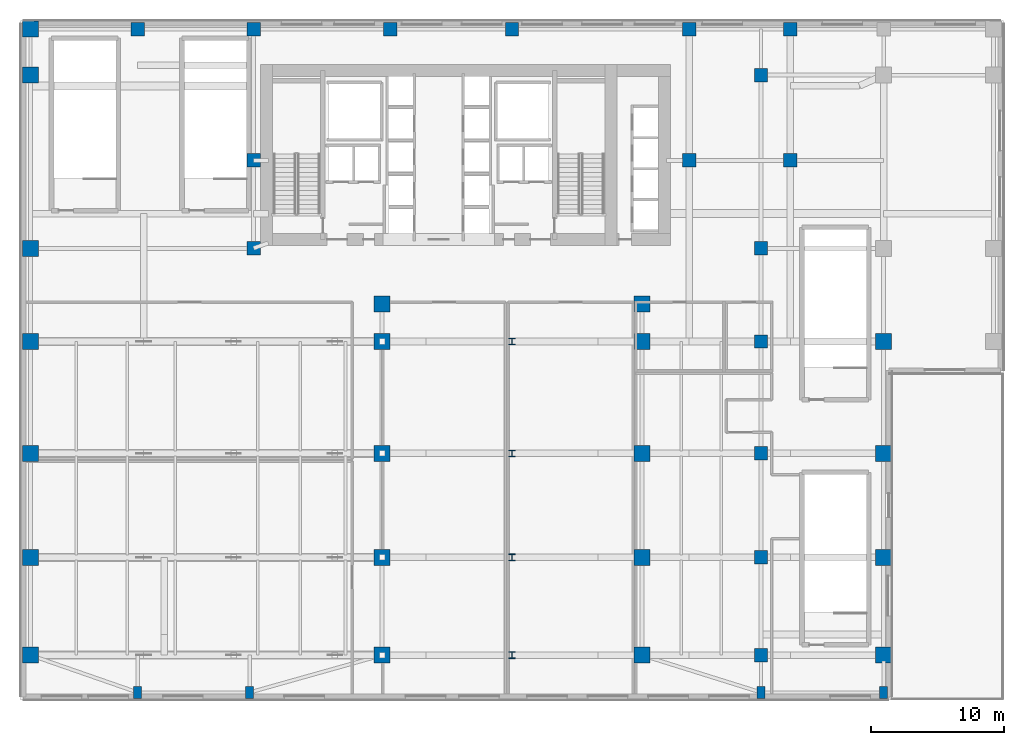
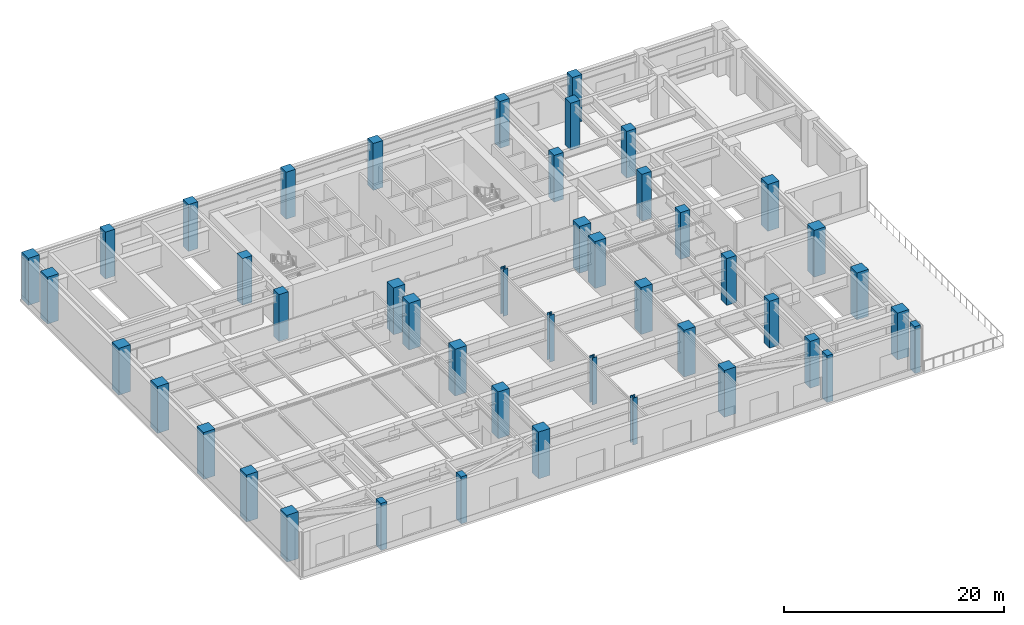
# One storey, part 1 of 14: 45 columns.
"""IFC4 building model written with IfcOpenShell, lengths in metres."""

from ifc_helpers import new_model, si_unit, direction, frame, origin, origin_2d, place, context, subcontext, project, spatial, rectangle, i_section, extrude, source, transform, mapped, material, material_profile, profile_set, type_object, type_shapes, element, save


model = new_model("IFC4")

# Units and contexts
model_context = context("Model", 3, precision=1e-05, world=origin(), true_north=direction((0.0, 1.0)))
body_context = subcontext(model_context, "Body", "Model", "MODEL_VIEW")
ifc_project = project(units=[si_unit("LENGTHUNIT", "METRE"), si_unit("AREAUNIT", "SQUARE_METRE"), si_unit("VOLUMEUNIT", "CUBIC_METRE"), si_unit("PLANEANGLEUNIT", "RADIAN"), si_unit("MASSUNIT", "GRAM", prefix="KILO")], contexts=[model_context])

# Site, building, storey
site_placement = place(None, origin())
site = spatial("IfcSite", under=ifc_project, at=site_placement, CompositionType="ELEMENT")
building_placement = place(site_placement, origin())
building = spatial("IfcBuilding", under=site, at=building_placement, Name="Tolvann Quenvar Hotel", CompositionType="ELEMENT")
storey_placement = place(building_placement, frame((0.0, 0.0, 26.800048828125)))
storey = spatial("IfcBuildingStorey", under=building, at=storey_placement, Name="L05", CompositionType="ELEMENT", Elevation=26.800048828125)

# Columns
ifc_material_1 = material(Name="Concrete S80 (80 MPa)", Category="concrete")
ifc_material_profile_1 = material_profile(ifc_material_1, rectangle(XDim=1.199951171875, YDim=1.199951171875, at=origin_2d()), Name="RC1200x1200")
ifc_profile_set_1 = profile_set([ifc_material_profile_1], Name="Concrete S80 (80 MPa)")
column_type_1 = type_object("IfcColumnType", Name="COL_RC1200", PredefinedType="COLUMN", material=ifc_profile_set_1)
shared_shape_1 = source(origin(), body_context, "Body", "SweptSolid", [
    extrude(rectangle(XDim=1.199951171875, YDim=1.199951171875, at=origin_2d()), origin(), (0.0, 0.0, 1.0), 5.199951171875),
])
type_shapes(column_type_1, [shared_shape_1])
for number, where, z_axis, x_axis, name in (
    (1, (-7.64990234375, 0.85009765625, 0.0), (0.0, 0.0, 1.0), (1.0, 0.0, 0.0), "Column PA1 (L05)"),
    (2, (-7.64990234375, 8.199951171875, 0.0), (0.0, 0.0, 1.0), (1.0, 0.0, 0.0), "Column PA2 (L05)"),
    (3, (-7.64990234375, 16.0, 0.0), (0.0, 0.0, 1.0), (1.0, 0.0, 0.0), "Column PA3 (L05)"),
    (4, (-7.64990234375, 24.39990234375, 0.0), (0.0, 0.0, 1.0), (1.0, 0.0, 0.0), "Column PA4 (L05)"),
    (5, (-7.64990234375, 31.39990234375, 0.0), (0.0, 0.0, 1.0), (1.0, 0.0, 0.0), "Column PA5 (L05)"),
    (6, (-7.64990234375, 44.39990234375, 0.0), (0.0, 0.0, 1.0), (1.0, 0.0, 0.0), "Column PA6 (L05)"),
    (7, (-7.64990234375, 47.85009765625, 0.0), (0.0, 0.0, 1.0), (1.0, 0.0, 0.0), "Column PAN (L05)"),
    (8, (18.75, 0.85009765625, 0.0), (0.0, 0.0, 1.0), (1.0, 0.0, 0.0), "Column PAPW1 (L05)"),
    (9, (38.25, 0.85009765625, 0.0), (0.0, 0.0, 1.0), (1.0, 0.0, 0.0), "Column PAPE1 (L05)"),
    (10, (18.75, 8.199951171875, 0.0), (0.0, 0.0, 1.0), (1.0, 0.0, 0.0), "Column PAPW2 (L05)"),
    (11, (38.25, 8.199951171875, 0.0), (0.0, 0.0, 1.0), (1.0, 0.0, 0.0), "Column PAPE2 (L05)"),
    (12, (18.75, 16.0, 0.0), (0.0, 0.0, 1.0), (1.0, 0.0, 0.0), "Column PAPW3 (L05)"),
    (13, (38.25, 16.0, 0.0), (0.0, 0.0, 1.0), (1.0, 0.0, 0.0), "Column PAPE3 (L05)"),
    (14, (18.75, 24.39990234375, 0.0), (0.0, 0.0, 1.0), (1.0, 0.0, 0.0), "Column PAPW4 (L05)"),
    (15, (38.25, 24.39990234375, 0.0), (0.0, 0.0, 1.0), (1.0, 0.0, 0.0), "Column PAPE4 (L05)"),
    (16, (18.75, 27.199951171875, 0.0), (0.0, 0.0, 1.0), (1.0, 0.0, 0.0), "Column PAPW5 (L05)"),
    (17, (38.25, 27.199951171875, 0.0), (0.0, 0.0, 1.0), (1.0, 0.0, 0.0), "Column PAPE5 (L05)"),
    (18, (56.39990234375, 0.85009765625, 0.0), (0.0, 0.0, 1.0), (1.0, 0.0, 0.0), "Column PJ1 (L05)"),
    (19, (56.39990234375, 8.199951171875, 0.0), (0.0, 0.0, 1.0), (1.0, 0.0, 0.0), "Column PJ2 (L05)"),
    (20, (56.39990234375, 16.0, 0.0), (0.0, 0.0, 1.0), (1.0, 0.0, 0.0), "Column PJ3 (L05)"),
    (21, (56.39990234375, 24.39990234375, 0.0), (0.0, 0.0, 1.0), (1.0, 0.0, 0.0), "Column PJ4 (L05)"),
):
    element("IfcColumn", number, at=place(storey_placement, frame(where, z_axis=z_axis, x_axis=x_axis)), inside=storey, type_object=column_type_1, Name=name, PredefinedType="COLUMN", context=body_context, shape_type="MappedRepresentation", body=[
        mapped(shared_shape_1, transform((0.0, 0.0, 0.0), x_axis=(1.0, 0.0, 0.0), y_axis=(0.0, 1.0, 0.0), z_axis=(0.0, 0.0, 1.0), scale=1.0)),
    ])
ifc_material_2 = material(Name="Concrete N50 (50 MPa)", Category="concrete")
ifc_material_profile_2 = material_profile(ifc_material_2, rectangle(XDim=0.60009765625, YDim=0.89990234375, at=origin_2d()), Name="RC600x900")
ifc_profile_set_2 = profile_set([ifc_material_profile_2], Name="Concrete N50 (50 MPa)")
column_type_2 = type_object("IfcColumnType", Name="COL_PILASTER_600x900", PredefinedType="PILASTER", material=ifc_profile_set_2)
shared_shape_2 = source(origin(), body_context, "Body", "SweptSolid", [
    extrude(rectangle(XDim=0.60009765625, YDim=0.89990234375, at=origin_2d()), origin(), (0.0, 0.0, 1.0), 5.199951171875),
])
type_shapes(column_type_2, [shared_shape_2])
for number, where, z_axis, x_axis, name in (
    (22, (0.39990234375, -1.949951171875, 0.0), (0.0, 0.0, 1.0), (1.0, 0.0, 0.0), "Column PIL-S1 (L05)"),
    (23, (8.800048828125, -1.949951171875, 0.0), (0.0, 0.0, 1.0), (1.0, 0.0, 0.0), "Column PIL-S2 (L05)"),
    (24, (47.199951171875, -1.949951171875, 0.0), (0.0, 0.0, 1.0), (1.0, 0.0, 0.0), "Column PIL-S3 (L05)"),
    (25, (56.39990234375, -1.949951171875, 0.0), (0.0, 0.0, 1.0), (1.0, 0.0, 0.0), "Column PIL-S4 (L05)"),
):
    element("IfcColumn", number, at=place(storey_placement, frame(where, z_axis=z_axis, x_axis=x_axis)), inside=storey, type_object=column_type_2, Name=name, PredefinedType="PILASTER", context=body_context, shape_type="MappedRepresentation", body=[
        mapped(shared_shape_2, transform((0.0, 0.0, 0.0), x_axis=(1.0, 0.0, 0.0), y_axis=(0.0, 1.0, 0.0), z_axis=(0.0, 0.0, 1.0), scale=1.0)),
    ])
ifc_material_3 = material(Name="Concrete S65 (65 MPa)", Category="concrete")
ifc_material_profile_3 = material_profile(ifc_material_3, rectangle(XDim=1.0, YDim=1.0, at=origin_2d()), Name="RC1000x1000")
ifc_profile_set_3 = profile_set([ifc_material_profile_3], Name="Concrete S65 (65 MPa)")
column_type_3 = type_object("IfcColumnType", Name="COL_RC1000", PredefinedType="COLUMN", material=ifc_profile_set_3)
shared_shape_3 = source(origin(), body_context, "Body", "SweptSolid", [
    extrude(rectangle(XDim=1.0, YDim=1.0, at=origin_2d()), origin(), (0.0, 0.0, 1.0), 5.199951171875),
])
type_shapes(column_type_3, [shared_shape_3])
for number, where, z_axis, x_axis, name in (
    (26, (47.199951171875, 0.85009765625, 0.0), (0.0, 0.0, 1.0), (1.0, 0.0, 0.0), "Column PH1 (L05)"),
    (27, (47.199951171875, 8.199951171875, 0.0), (0.0, 0.0, 1.0), (1.0, 0.0, 0.0), "Column PH2 (L05)"),
    (28, (47.199951171875, 16.0, 0.0), (0.0, 0.0, 1.0), (1.0, 0.0, 0.0), "Column PH3 (L05)"),
    (29, (47.199951171875, 24.39990234375, 0.0), (0.0, 0.0, 1.0), (1.0, 0.0, 0.0), "Column PH4 (L05)"),
    (30, (47.199951171875, 31.39990234375, 0.0), (0.0, 0.0, 1.0), (1.0, 0.0, 0.0), "Column PH5 (L05)"),
    (31, (47.199951171875, 44.39990234375, 0.0), (0.0, 0.0, 1.0), (1.0, 0.0, 0.0), "Column PH6 (L05)"),
    (32, (0.39990234375, 47.85009765625, 0.0), (0.0, 0.0, 1.0), (1.0, 0.0, 0.0), "Column PN1 (L05)"),
    (33, (9.10009765625, 47.85009765625, 0.0), (0.0, 0.0, 1.0), (1.0, 0.0, 0.0), "Column PN2 (L05)"),
    (34, (19.35009765625, 47.85009765625, 0.0), (0.0, 0.0, 1.0), (1.0, 0.0, 0.0), "Column PN3 (L05)"),
    (35, (28.5, 47.85009765625, 0.0), (0.0, 0.0, 1.0), (1.0, 0.0, 0.0), "Column PN4 (L05)"),
    (36, (41.800048828125, 47.85009765625, 0.0), (0.0, 0.0, 1.0), (1.0, 0.0, 0.0), "Column PN5 (L05)"),
    (37, (49.39990234375, 47.85009765625, 0.0), (0.0, 0.0, 1.0), (1.0, 0.0, 0.0), "Column PN6 (L05)"),
    (38, (9.10009765625, 38.0, 0.0), (0.0, 0.0, 1.0), (1.0, 0.0, 0.0), "Column PCN (L05)"),
    (39, (41.800048828125, 38.0, 0.0), (0.0, 0.0, 1.0), (1.0, 0.0, 0.0), "Column PHN (L05)"),
    (40, (49.39990234375, 38.0, 0.0), (0.0, 0.0, 1.0), (1.0, 0.0, 0.0), "Column PIN (L05)"),
    (41, (9.10009765625, 31.39990234375, 0.0), (0.0, 0.0, 1.0), (1.0, 0.0, 0.0), "Column PCNS (L05)"),
):
    element("IfcColumn", number, at=place(storey_placement, frame(where, z_axis=z_axis, x_axis=x_axis)), inside=storey, type_object=column_type_3, Name=name, PredefinedType="COLUMN", context=body_context, shape_type="MappedRepresentation", body=[
        mapped(shared_shape_3, transform((0.0, 0.0, 0.0), x_axis=(1.0, 0.0, 0.0), y_axis=(0.0, 1.0, 0.0), z_axis=(0.0, 0.0, 1.0), scale=1.0)),
    ])
ifc_material_4 = material(Name="Steel Grade 350", Category="steel")
ifc_material_profile_4 = material_profile(ifc_material_4, i_section(OverallWidth=0.5, OverallDepth=0.5, WebThickness=0.028076171875, FlangeThickness=0.044921875, at=origin_2d()), Name="500WC440")
ifc_profile_set_4 = profile_set([ifc_material_profile_4], Name="Steel Grade 350")
column_type_4 = type_object("IfcColumnType", Name="COL_500WC440", PredefinedType="COLUMN", material=ifc_profile_set_4)
shared_shape_4 = source(origin(), body_context, "Body", "SweptSolid", [
    extrude(i_section(OverallWidth=0.5, OverallDepth=0.5, WebThickness=0.028076171875, FlangeThickness=0.044921875, at=origin_2d()), origin(), (0.0, 0.0, 1.0), 5.199951171875),
])
type_shapes(column_type_4, [shared_shape_4])
for number, where, z_axis, x_axis, name in (
    (42, (28.5, 0.85009765625, 0.0), (0.0, 0.0, 1.0), (1.0, 0.0, 0.0), "Column PARCHS (L05)"),
    (43, (28.5, 8.199951171875, 0.0), (0.0, 0.0, 1.0), (1.0, 0.0, 0.0), "Column PARCH2 (L05)"),
    (44, (28.5, 16.0, 0.0), (0.0, 0.0, 1.0), (1.0, 0.0, 0.0), "Column PARCH3 (L05)"),
    (45, (28.5, 24.39990234375, 0.0), (0.0, 0.0, 1.0), (1.0, 0.0, 0.0), "Column PARCHM (L05)"),
):
    element("IfcColumn", number, at=place(storey_placement, frame(where, z_axis=z_axis, x_axis=x_axis)), inside=storey, type_object=column_type_4, Name=name, PredefinedType="COLUMN", context=body_context, shape_type="MappedRepresentation", body=[
        mapped(shared_shape_4, transform((0.0, 0.0, 0.0), x_axis=(1.0, 0.0, 0.0), y_axis=(0.0, 1.0, 0.0), z_axis=(0.0, 0.0, 1.0), scale=1.0)),
    ])

save(model, "model.ifc")
